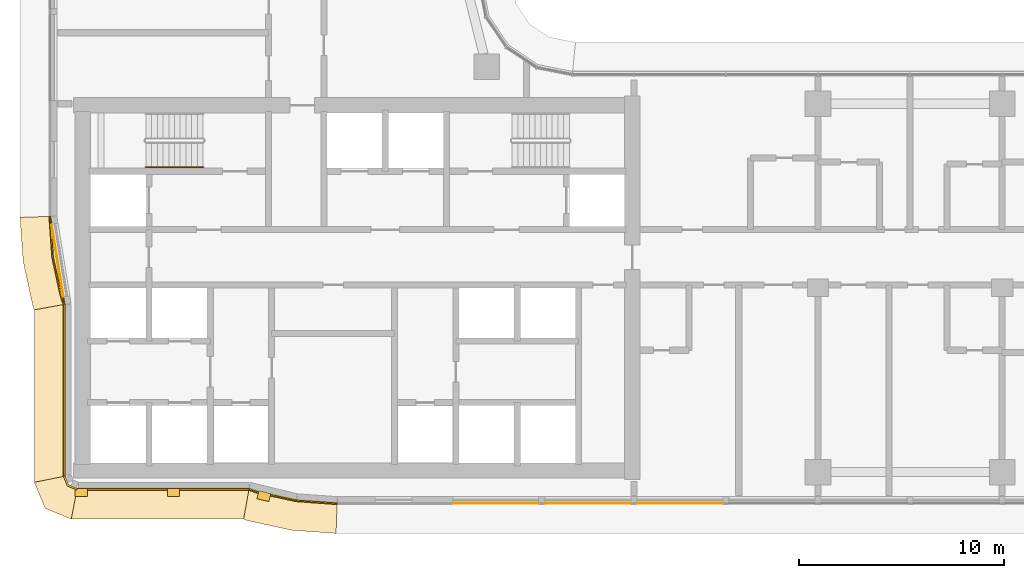
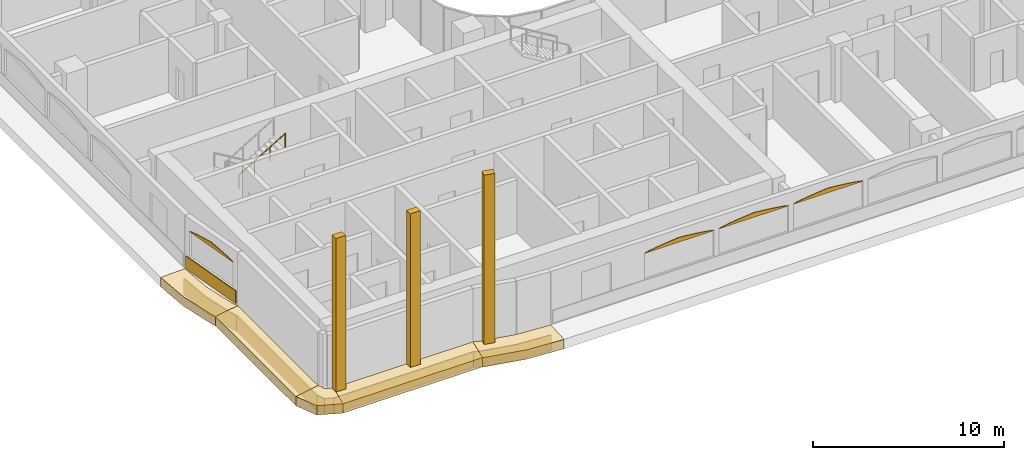
# One storey, part 17 of 25: 18 coverings, 1 railing.
"""IFC4 building model written with IfcOpenShell, lengths in metres."""

from ifc_helpers import new_model, si_unit, direction, frame, origin, origin_2d, place, context, subcontext, project, spatial, polyline, rectangle, circle, outline, extrude, material, layer, layer_set, type_object, element, save


model = new_model("IFC4")

# Units and contexts
model_context = context("Model", 3, precision=1e-05, world=origin(), true_north=direction((0.0, 1.0)))
body_context = subcontext(model_context, "Body", "Model", "MODEL_VIEW")
ifc_project = project(units=[si_unit("LENGTHUNIT", "METRE"), si_unit("AREAUNIT", "SQUARE_METRE"), si_unit("VOLUMEUNIT", "CUBIC_METRE"), si_unit("PLANEANGLEUNIT", "RADIAN"), si_unit("MASSUNIT", "GRAM", prefix="KILO")], contexts=[model_context])

# Site, building, storey
site_placement = place(None, origin())
site = spatial("IfcSite", under=ifc_project, at=site_placement, CompositionType="ELEMENT")
building_placement = place(site_placement, origin())
building = spatial("IfcBuilding", under=site, at=building_placement, Name="Ogive Portal Towers", CompositionType="ELEMENT")
storey_placement = place(building_placement, frame((0.0, 0.0, 105.60009765625)))
storey = spatial("IfcBuildingStorey", under=building, at=storey_placement, Name="L25", CompositionType="ELEMENT", Elevation=105.60009765625)

# Railing
ifc_material_1 = material(Name="Stainless steel handrail", Category="steel")
railing_type = type_object("IfcRailingType", Name="INT-HANDRAIL", PredefinedType="HANDRAIL", material=ifc_material_1)
railing_placement = place(storey_placement, frame((34.64990234375, 36.39990234375, 2.01806640625)))
element("IfcRailing", 1, at=railing_placement, inside=storey, type_object=railing_type, Name="L25 ST-A1 stair handrail 2", PredefinedType="HANDRAIL", context=body_context, shape_type="SweptSolid", body=[
    extrude(circle(Radius=0.02392578125, at=origin_2d()), frame((0.0, 0.0, 0.8759765625), z_axis=(0.857242210791, 0.0, 0.514913383045), x_axis=(0.0, 1.0, 0.0)), (0.0, 0.0, 1.0), 3.266357421875),
    extrude(circle(Radius=0.02099609375, at=origin_2d()), origin(), (0.0, 0.0, 1.0), 0.851806640625),
    extrude(circle(Radius=0.02099609375, at=origin_2d()), frame((0.933349609375, 0.0, 0.560546875)), (0.0, 0.0, 1.0), 0.851806640625),
    extrude(circle(Radius=0.02099609375, at=origin_2d()), frame((1.86669921875, 0.0, 1.121337890625)), (0.0, 0.0, 1.0), 0.851806640625),
    extrude(circle(Radius=0.02099609375, at=origin_2d()), frame((2.800048828125, 0.0, 1.681884765625)), (0.0, 0.0, 1.0), 0.851806640625),
])

# Coverings
ifc_material_2 = material(Name="Limestone cladding on lightweight block wall", Category="masonry")
ifc_layer_1 = layer(ifc_material_2, 0.0400390625)
ifc_layer_set_1 = layer_set([ifc_layer_1], Name="LANCET HEAD STONE")
covering_type_1 = type_object("IfcCoveringType", Name="LANCET HEAD STONE", PredefinedType="CLADDING", material=ifc_layer_set_1)
for number, where, z_axis, x_axis, name in (
    (2, (49.64990234375, 20.0, 2.599853515625), (0.0, 0.999948962386, 0.010103099685), (1.0, 0.0, 0.0), "Lancet head"),
    (3, (54.14990234375, 20.0, 2.599853515625), (0.0, 0.999948962386, 0.010103099685), (1.0, 0.0, 0.0), "Lancet head"),
    (4, (58.64990234375, 20.0, 2.599853515625), (0.0, 0.999948962386, 0.010103099685), (1.0, 0.0, 0.0), "Lancet head"),
):
    element("IfcCovering", number, at=place(storey_placement, frame(where, z_axis=z_axis, x_axis=x_axis)), inside=storey, type_object=covering_type_1, Name=name, PredefinedType="CLADDING", context=body_context, shape_type="SweptSolid", body=[
        extrude(outline(polyline([(0.0, 0.0), (4.2001953125, 0.0), (4.107177734375, -0.03760067050947447), (3.9375, -0.07495474627723249), (3.7177734375, -0.11255541678670695), (3.45751953125, -0.15015362071910998), (3.162353515625, -0.18751016306393944), (2.836181640625, -0.22510836699634246), (2.481201171875, -0.2624649093411719), (2.10009765625, -0.30006311327357493), (1.718994140625, -0.2624649093411719), (1.364013671875, -0.22510836699634246), (1.037841796875, -0.18751016306393944), (0.74267578125, -0.15015362071910998), (0.482421875, -0.11255541678670695), (0.2626953125, -0.07495474627723249), (0.093017578125, -0.03760067050947447), (0.0, 0.0)])), origin(), (0.0, 0.0, -1.0), 0.0400390625),
    ])
covering_1_placement = place(storey_placement, frame((30.062744140625, 33.6142578125, 2.599853515625), z_axis=(0.986964218351, 0.160642072857, 0.009785505724), x_axis=(0.160649765496, -0.987011475539, -8.8597e-08)))
element("IfcCovering", 5, at=covering_1_placement, inside=storey, type_object=covering_type_1, Name="Lancet head", PredefinedType="CLADDING", context=body_context, shape_type="SweptSolid", body=[
    extrude(outline(polyline([(0.0, 0.0), (3.599986403676164, -8.673617379884035e-19), (3.5202762483772463, -0.03759959838933936), (3.375022640723441, -0.07495474980215207), (3.18650116155063, -0.11255288581954201), (2.963543600963793, -0.15015426300143986), (2.7104425478301764, -0.187509487322227), (2.430890988352633, -0.22510785794127688), (2.1265757097640647, -0.2624638037269755), (1.7999848502747247, -0.30006470473879143), (1.4730689427870505, -0.2624636938789606), (1.1691123038182958, -0.22510949513034723), (0.8891964752082643, -0.1875083118836614), (0.6362130920959401, -0.15015300785015553), (0.4131714531092897, -0.11255285698038767), (0.22496939246539804, -0.07495494859789568), (0.07935151563584461, -0.03759880401645347), (0.0, 0.0)])), origin(), (0.0, 0.0, -1.0), 0.0400390625),
])
ifc_layer_2 = layer(ifc_material_2, 0.050048828125)
ifc_layer_set_2 = layer_set([ifc_layer_2], Name="SCREEN PERFORATED STONE")
covering_type_2 = type_object("IfcCoveringType", Name="SCREEN PERFORATED STONE", PredefinedType="CLADDING", material=ifc_layer_set_2)
covering_2_placement = place(storey_placement, frame((30.327392578125, 31.833740234375, 0.10009765625), z_axis=(0.0, 0.0, 1.0), x_axis=(0.160654533408, -0.987010699484, 0.0)))
element("IfcCovering", 6, at=covering_2_placement, inside=storey, type_object=covering_type_2, Name="Tracery screen", PredefinedType="CLADDING", context=body_context, shape_type="SweptSolid", body=[
    extrude(rectangle(XDim=4.1328125, YDim=0.050048828125, at=origin_2d()), origin(), (0.0, 0.0, 1.0), 0.800048828125),
])
ifc_layer_3 = layer(ifc_material_2, 0.39990234375)
ifc_layer_set_3 = layer_set([ifc_layer_3], Name="SPINE PIER STONE")
covering_type_3 = type_object("IfcCoveringType", Name="SPINE PIER STONE", PredefinedType="CLADDING", material=ifc_layer_set_3)
for number, where, z_axis, x_axis, name in (
    (7, (31.5, 20.5, 0.0), (0.0, 0.0, 1.0), (1.0, 0.0, 0.0), "SPINE PIER"),
    (8, (36.0, 20.5, 0.0), (0.0, 0.0, 1.0), (1.0, 0.0, 0.0), "SPINE PIER"),
):
    element("IfcCovering", number, at=place(storey_placement, frame(where, z_axis=z_axis, x_axis=x_axis)), inside=storey, type_object=covering_type_3, Name=name, PredefinedType="CLADDING", context=body_context, shape_type="SweptSolid", body=[
        extrude(rectangle(XDim=0.60009765625, YDim=0.39990234375, at=origin_2d()), origin(), (0.0, 0.0, 1.0), 9.800048828125),
    ])
covering_3_placement = place(storey_placement, frame((40.417724609375, 20.32080078125, 0.0), z_axis=(0.0, 0.0, 1.0), x_axis=(0.972047938929, -0.234782461918, 0.0)))
element("IfcCovering", 9, at=covering_3_placement, inside=storey, type_object=covering_type_3, Name="SPINE PIER", PredefinedType="CLADDING", context=body_context, shape_type="SweptSolid", body=[
    extrude(rectangle(XDim=0.60009765625, YDim=0.39990234375, at=origin_2d()), origin(), (0.0, 0.0, 1.0), 10.800048828125),
])
ifc_layer_4 = layer(ifc_material_2, 0.080078125)
ifc_layer_set_4 = layer_set([ifc_layer_4], Name="STONE SPANDREL 80")
covering_type_4 = type_object("IfcCoveringType", Name="STONE SPANDREL 80", PredefinedType="CLADDING", material=ifc_layer_set_4)
covering_4_placement = place(storey_placement, frame((0.0, 0.0, -1.60009765625)))
element("IfcCovering", 10, at=covering_4_placement, inside=storey, type_object=covering_type_4, Name="Stone spandrel A1-F01", PredefinedType="CLADDING", context=body_context, shape_type="SweptSolid", body=[
    extrude(outline(polyline([(30.699951171875, 29.699462890625), (30.699951171875, 21.300048828125), (30.6201171875, 21.2841796875), (30.6201171875, 29.68505859375), (30.699951171875, 29.699462890625)])), origin(), (0.0, 0.0, 1.0), 1.0),
])
covering_5_placement = place(storey_placement, frame((0.0, 0.0, -1.60009765625)))
element("IfcCovering", 11, at=covering_5_placement, inside=storey, type_object=covering_type_4, Name="Stone spandrel A1-F02", PredefinedType="CLADDING", context=body_context, shape_type="SweptSolid", body=[
    extrude(outline(polyline([(30.699951171875, 21.300048828125), (30.875732421875, 20.875732421875), (31.300048828125, 20.699951171875), (31.2841796875, 20.6201171875), (30.814453125, 20.814453125), (30.6201171875, 21.2841796875), (30.699951171875, 21.300048828125)])), origin(), (0.0, 0.0, 1.0), 1.0),
])
covering_6_placement = place(storey_placement, frame((0.0, 0.0, -1.60009765625)))
element("IfcCovering", 12, at=covering_6_placement, inside=storey, type_object=covering_type_4, Name="Stone spandrel A1-F03", PredefinedType="CLADDING", context=body_context, shape_type="SweptSolid", body=[
    extrude(outline(polyline([(31.300048828125, 20.699951171875), (39.699462890625, 20.699951171875), (39.68505859375, 20.6201171875), (31.2841796875, 20.6201171875), (31.300048828125, 20.699951171875)])), origin(), (0.0, 0.0, 1.0), 1.0),
])
covering_7_placement = place(storey_placement, frame((0.0, 0.0, -1.60009765625)))
element("IfcCovering", 13, at=covering_7_placement, inside=storey, type_object=covering_type_4, Name="Stone spandrel A1-F04", PredefinedType="CLADDING", context=body_context, shape_type="SweptSolid", body=[
    extrude(outline(polyline([(39.699462890625, 20.699951171875), (40.0556640625, 20.567138671875), (42.007568359375, 20.142578125), (44.0, 20.0), (43.9970703125, 19.919921875), (41.99609375, 20.063232421875), (40.033203125, 20.490234375), (39.68505859375, 20.6201171875), (39.699462890625, 20.699951171875)])), origin(), (0.0, 0.0, 1.0), 1.0),
])
covering_8_placement = place(storey_placement, frame((0.0, 0.0, -1.60009765625)))
element("IfcCovering", 14, at=covering_8_placement, inside=storey, type_object=covering_type_4, Name="Stone spandrel A1-F14", PredefinedType="CLADDING", context=body_context, shape_type="SweptSolid", body=[
    extrude(outline(polyline([(30.0, 34.0), (30.142578125, 32.007568359375), (30.567138671875, 30.0556640625), (30.699951171875, 29.699462890625), (30.6201171875, 29.68505859375), (30.490234375, 30.033203125), (30.063232421875, 31.99609375), (29.919921875, 33.9970703125), (30.0, 34.0)])), origin(), (0.0, 0.0, 1.0), 1.0),
])
ifc_layer_5 = layer(ifc_material_2, 0.60009765625)
ifc_layer_set_5 = layer_set([ifc_layer_5], Name="SUNSHADE LIP 600")
covering_type_5 = type_object("IfcCoveringType", Name="SUNSHADE LIP 600", PredefinedType="CLADDING", material=ifc_layer_set_5)
covering_9_placement = place(storey_placement, frame((0.0, 0.0, -0.60009765625)))
element("IfcCovering", 15, at=covering_9_placement, inside=storey, type_object=covering_type_5, Name="Sunshade lip A1-F01", PredefinedType="CLADDING", context=body_context, shape_type="SweptSolid", body=[
    extrude(outline(polyline([(30.699951171875, 29.699462890625), (30.699951171875, 21.300048828125), (29.199951171875, 21.001708984375), (29.199951171875, 29.4287109375), (30.699951171875, 29.699462890625)])), origin(), (0.0, 0.0, 1.0), 0.60009765625),
])
covering_10_placement = place(storey_placement, frame((0.0, 0.0, -0.60009765625)))
element("IfcCovering", 16, at=covering_10_placement, inside=storey, type_object=covering_type_5, Name="Sunshade lip A1-F02", PredefinedType="CLADDING", context=body_context, shape_type="SweptSolid", body=[
    extrude(outline(polyline([(30.699951171875, 21.300048828125), (30.875732421875, 20.875732421875), (31.300048828125, 20.699951171875), (31.001708984375, 19.199951171875), (29.727783203125, 19.727783203125), (29.199951171875, 21.001708984375), (30.699951171875, 21.300048828125)])), origin(), (0.0, 0.0, 1.0), 0.60009765625),
])
covering_11_placement = place(storey_placement, frame((0.0, 0.0, -0.60009765625)))
element("IfcCovering", 17, at=covering_11_placement, inside=storey, type_object=covering_type_5, Name="Sunshade lip A1-F03", PredefinedType="CLADDING", context=body_context, shape_type="SweptSolid", body=[
    extrude(outline(polyline([(31.300048828125, 20.699951171875), (39.699462890625, 20.699951171875), (39.4287109375, 19.199951171875), (31.001708984375, 19.199951171875), (31.300048828125, 20.699951171875)])), origin(), (0.0, 0.0, 1.0), 0.60009765625),
])
covering_12_placement = place(storey_placement, frame((0.0, 0.0, -0.60009765625)))
element("IfcCovering", 18, at=covering_12_placement, inside=storey, type_object=covering_type_5, Name="Sunshade lip A1-F04", PredefinedType="CLADDING", context=body_context, shape_type="SweptSolid", body=[
    extrude(outline(polyline([(39.699462890625, 20.699951171875), (40.0556640625, 20.567138671875), (42.007568359375, 20.142578125), (44.0, 20.0), (43.946533203125, 18.5), (41.79345703125, 18.654052734375), (39.632080078125, 19.124267578125), (39.4287109375, 19.199951171875), (39.699462890625, 20.699951171875)])), origin(), (0.0, 0.0, 1.0), 0.60009765625),
])
covering_13_placement = place(storey_placement, frame((0.0, 0.0, -0.60009765625)))
element("IfcCovering", 19, at=covering_13_placement, inside=storey, type_object=covering_type_5, Name="Sunshade lip A1-F14", PredefinedType="CLADDING", context=body_context, shape_type="SweptSolid", body=[
    extrude(outline(polyline([(30.0, 34.0), (30.142578125, 32.007568359375), (30.567138671875, 30.0556640625), (30.699951171875, 29.699462890625), (29.199951171875, 29.4287109375), (29.124267578125, 29.632080078125), (28.654052734375, 31.79345703125), (28.5, 33.946533203125), (30.0, 34.0)])), origin(), (0.0, 0.0, 1.0), 0.60009765625),
])

save(model, "model.ifc")
